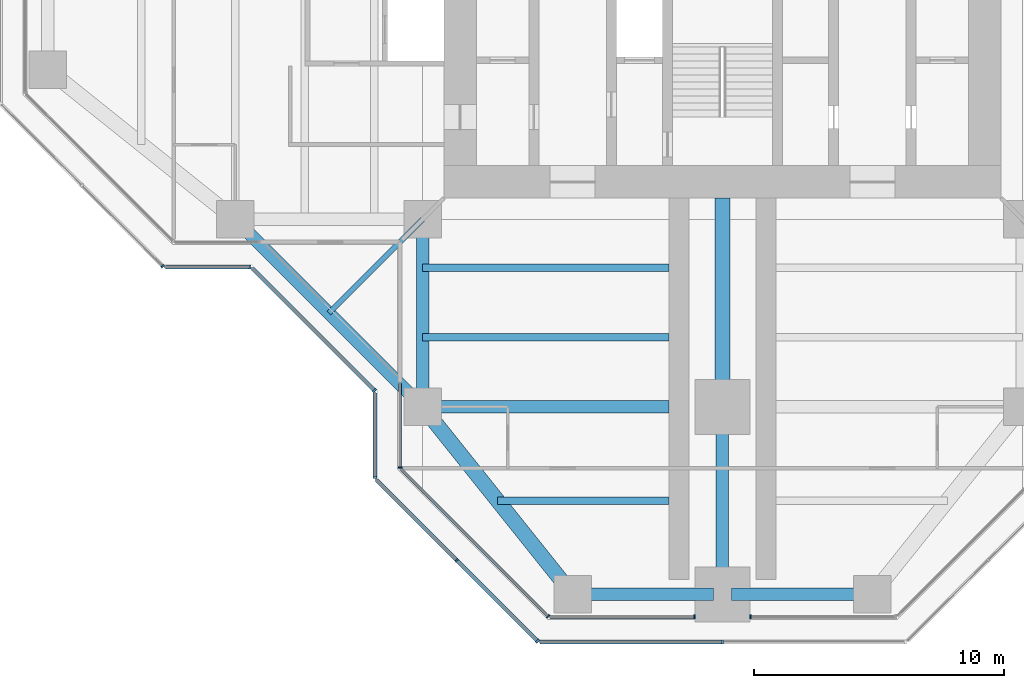
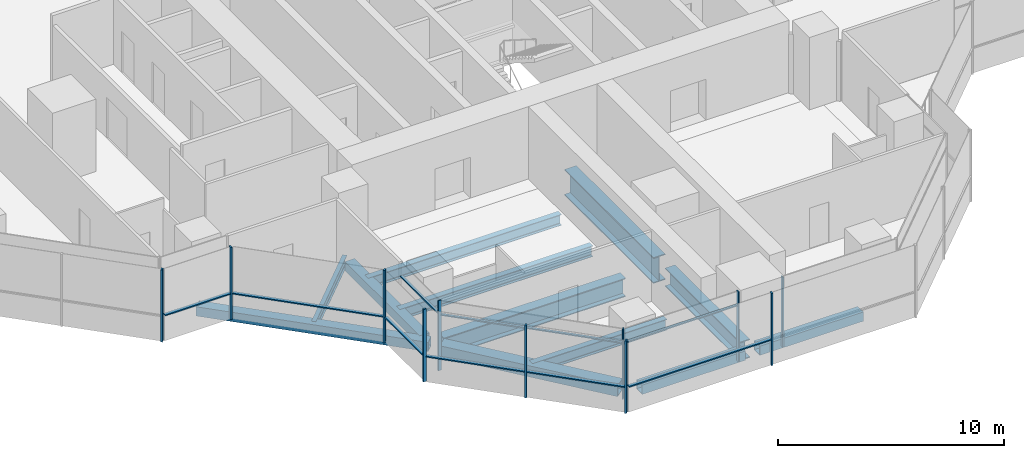
# One storey, part 2 of 17: 20 members, 12 beams, 10 elements without a shape of their own.
"""IFC4 building model written with IfcOpenShell, lengths in metres."""

from ifc_helpers import new_model, si_unit, direction, frame, origin, origin_2d, place, context, subcontext, project, spatial, rectangle, hollow_rectangle, i_section, extrude, material, material_profile, profile_set, type_object, element, aggregate, save


model = new_model("IFC4")

# Units and contexts
model_context = context("Model", 3, precision=1e-05, world=origin(), true_north=direction((0.0, 1.0)))
body_context = subcontext(model_context, "Body", "Model", "MODEL_VIEW")
ifc_project = project(units=[si_unit("LENGTHUNIT", "METRE"), si_unit("AREAUNIT", "SQUARE_METRE"), si_unit("VOLUMEUNIT", "CUBIC_METRE"), si_unit("PLANEANGLEUNIT", "RADIAN"), si_unit("MASSUNIT", "GRAM", prefix="KILO")], contexts=[model_context])

# Site, building, storey
site_placement = place(None, origin())
site = spatial("IfcSite", under=ifc_project, at=site_placement, CompositionType="ELEMENT")
building_placement = place(site_placement, origin())
building = spatial("IfcBuilding", under=site, at=building_placement, Name="Mizan Broadcast Tower", CompositionType="ELEMENT")
storey_placement = place(building_placement, frame((0.0, 0.0, 243.89990234375)))
storey = spatial("IfcBuildingStorey", under=building, at=storey_placement, Name="L57", CompositionType="ELEMENT", Elevation=243.89990234375)

# Beams
ifc_material_1 = material(Name="Steel S355", Category="steel")
ifc_material_profile_1 = material_profile(ifc_material_1, hollow_rectangle(XDim=0.5, YDim=0.5, WallThickness=0.030029296875, at=origin_2d()), Name="BOX 500x500x30")
ifc_profile_set_1 = profile_set([ifc_material_profile_1], Name="Steel S355")
beam_type_1 = type_object("IfcBeamType", Name="EDGE BEAM BOX 500x500x30", PredefinedType="SPANDREL", material=ifc_profile_set_1)
beam_1_placement = place(storey_placement, frame((-12.0, -12.449951171875, -0.3798828125), z_axis=(0.0, -1.0, 0.0), x_axis=(1.0, 0.0, 0.0)))
element("IfcBeam", 1, at=beam_1_placement, inside=storey, type_object=beam_type_1, Name="Edge beam BOX 500x500x30 L57 south arm", PredefinedType="SPANDREL", context=body_context, shape_type="SweptSolid", body=[
    extrude(hollow_rectangle(XDim=0.5, YDim=0.5, WallThickness=0.030029296875, at=origin_2d()), origin(), (0.0, 0.0, 1.0), 6.60009765625),
])
for number, where, z_axis, x_axis, name in (
    (2, (-5.639892578125, -27.0, -0.3798828125), (1.0, 0.0, 0.0), (0.0, 1.0, 0.0), "Edge beam BOX 500x500x30 L57 south arm"),
    (3, (5.639892578125, -27.0, -0.3798828125), (-1.0, 0.0, 0.0), (0.0, -1.0, 0.0), "Edge beam BOX 500x500x30 L57 south arm"),
):
    element("IfcBeam", number, at=place(storey_placement, frame(where, z_axis=z_axis, x_axis=x_axis)), inside=storey, type_object=beam_type_1, Name=name, PredefinedType="SPANDREL", context=body_context, shape_type="SweptSolid", body=[
        extrude(hollow_rectangle(XDim=0.5, YDim=0.5, WallThickness=0.030029296875, at=origin_2d()), origin(), (0.0, 0.0, 1.0), 5.27978515625),
    ])
beam_2_placement = place(storey_placement, frame((-19.5, -12.0, -0.3798828125), z_axis=(0.707106781187, -0.707106781187, 0.0), x_axis=(0.707106781187, 0.707106781187, 0.0)))
element("IfcBeam", 4, at=beam_2_placement, inside=storey, type_object=beam_type_1, Name="Winter garden edge beam L57 W", PredefinedType="SPANDREL", context=body_context, shape_type="SweptSolid", body=[
    extrude(hollow_rectangle(XDim=0.5, YDim=0.5, WallThickness=0.030029296875, at=origin_2d()), origin(), (0.0, 0.0, 1.0), 10.606689453125),
])
ifc_material_2 = material(Name="Steel S355", Category="steel")
ifc_material_profile_2 = material_profile(ifc_material_2, hollow_rectangle(XDim=0.60009765625, YDim=0.60009765625, WallThickness=0.030029296875, at=origin_2d()), Name="BOX 600x600x30")
ifc_profile_set_2 = profile_set([ifc_material_profile_2], Name="Steel S355")
beam_type_2 = type_object("IfcBeamType", Name="EDGE BEAM BOX 600x600x30", PredefinedType="SPANDREL", material=ifc_profile_set_2)
beam_3_placement = place(storey_placement, frame((-11.639892578125, -19.949951171875, -0.429931640625), z_axis=(0.624673911726, -0.780885717636, 0.0), x_axis=(0.780885717636, 0.624673911726, 0.0)))
element("IfcBeam", 5, at=beam_3_placement, inside=storey, type_object=beam_type_2, Name="Edge beam BOX 600x600x30 L57 south arm", PredefinedType="SPANDREL", context=body_context, shape_type="SweptSolid", body=[
    extrude(hollow_rectangle(XDim=0.60009765625, YDim=0.60009765625, WallThickness=0.030029296875, at=origin_2d()), origin(), (0.0, 0.0, 1.0), 8.4521484375),
])
ifc_material_3 = material(Name="Steel S460", Category="steel")
ifc_material_profile_3 = material_profile(ifc_material_3, i_section(OverallWidth=0.5, OverallDepth=1.0, WebThickness=0.02490234375, FlangeThickness=0.050048828125, at=origin_2d()), Name="WPG 1000x500")
ifc_profile_set_3 = profile_set([ifc_material_profile_3], Name="Steel S460")
beam_type_3 = type_object("IfcBeamType", Name="GIRDER WPG 1000x500", PredefinedType="BEAM", material=ifc_profile_set_3)
beam_4_placement = place(storey_placement, frame((0.0, -19.949951171875, -0.6298828125), z_axis=(0.0, -1.0, 0.0), x_axis=(1.0, 0.0, 0.0)))
element("IfcBeam", 6, at=beam_4_placement, inside=storey, type_object=beam_type_3, Name="Girder WPG 1000x500 L57 south arm", PredefinedType="BEAM", context=body_context, shape_type="SweptSolid", body=[
    extrude(i_section(OverallWidth=0.5, OverallDepth=1.0, WebThickness=0.02490234375, FlangeThickness=0.050048828125, at=origin_2d()), origin(), (0.0, 0.0, 1.0), 6.60009765625),
])
beam_5_placement = place(storey_placement, frame((-11.408935546875, -19.5, -0.6298828125), z_axis=(1.0, 0.0, 0.0), x_axis=(0.0, 1.0, 0.0)))
element("IfcBeam", 7, at=beam_5_placement, inside=storey, type_object=beam_type_3, Name="Girder WPG 1000x500 L57 south arm", PredefinedType="BEAM", context=body_context, shape_type="SweptSolid", body=[
    extrude(i_section(OverallWidth=0.5, OverallDepth=1.0, WebThickness=0.02490234375, FlangeThickness=0.050048828125, at=origin_2d()), origin(), (0.0, 0.0, 1.0), 9.259033203125),
])
ifc_material_4 = material(Name="Steel S460", Category="steel")
ifc_material_profile_4 = material_profile(ifc_material_4, i_section(OverallWidth=0.60009765625, OverallDepth=1.39990234375, WebThickness=0.02490234375, FlangeThickness=0.06005859375, at=origin_2d()), Name="WPG 1400x600")
ifc_profile_set_4 = profile_set([ifc_material_profile_4], Name="Steel S460")
beam_type_4 = type_object("IfcBeamType", Name="GIRDER WPG 1400x600", PredefinedType="BEAM", material=ifc_profile_set_4)
beam_6_placement = place(storey_placement, frame((0.0, -11.14990234375, -0.829833984375), z_axis=(0.0, -1.0, 0.0), x_axis=(1.0, 0.0, 0.0)))
element("IfcBeam", 8, at=beam_6_placement, inside=storey, type_object=beam_type_4, Name="Girder WPG 1400x600 L57 south arm", PredefinedType="BEAM", context=body_context, shape_type="SweptSolid", body=[
    extrude(i_section(OverallWidth=0.60009765625, OverallDepth=1.39990234375, WebThickness=0.02490234375, FlangeThickness=0.06005859375, at=origin_2d()), origin(), (0.0, 0.0, 1.0), 7.84912109375),
])

# Curtain wall, member
ifc_material_5 = material(Name="Aluminium framed glazing", Category="aluminium")
curtain_wall_type_1 = type_object("IfcCurtainWallType", Name="INNER SKIN HIGH ZONE", PredefinedType="USERDEFINED", material=ifc_material_5)
curtain_wall_1_placement = place(storey_placement, origin())
curtain_wall_1 = element("IfcCurtainWall", 9, at=curtain_wall_1_placement, inside=storey, type_object=curtain_wall_type_1, Name="Inner skin high zone L57 S side", ObjectType="INNER SKIN HIGH ZONE", PredefinedType="USERDEFINED")
ifc_material_6 = material(Name="Aluminium, pale anodised", Category="aluminium")
ifc_material_profile_5 = material_profile(ifc_material_6, rectangle(XDim=0.159912109375, YDim=0.06005859375, at=origin_2d()), Name="MULLION 160x60")
ifc_profile_set_5 = profile_set([ifc_material_profile_5], Name="Aluminium, pale anodised")
member_type_1 = type_object("IfcMemberType", Name="INNER SKIN MULLION 60x160", PredefinedType="MULLION", material=ifc_profile_set_5)
member_1_placement = place(storey_placement, frame((-12.89990234375, -21.928466796875, 0.0), z_axis=(0.0, 0.0, 1.0), x_axis=(1.0, 0.0, 0.0)))
member_1 = element("IfcMember", 10, at=member_1_placement, type_object=member_type_1, Name="Inner skin high zone L57 S side mullion 2", PredefinedType="MULLION", context=body_context, shape_type="SweptSolid", body=[
    extrude(rectangle(XDim=0.159912109375, YDim=0.06005859375, at=origin_2d()), origin(), (0.0, 0.0, 1.0), 3.77001953125),
])

curtain_wall_2_placement = place(storey_placement, origin())
curtain_wall_2 = element("IfcCurtainWall", 11, at=curtain_wall_2_placement, inside=storey, type_object=curtain_wall_type_1, Name="Inner skin high zone L57 S chamfer", ObjectType="INNER SKIN HIGH ZONE", PredefinedType="USERDEFINED")
member_2_placement = place(storey_placement, frame((-6.979736328125, -27.87890625, 0.0), z_axis=(0.0, 0.0, 1.0), x_axis=(0.707106781187, 0.707106781187, 0.0)))
member_2 = element("IfcMember", 12, at=member_2_placement, type_object=member_type_1, Name="Inner skin high zone L57 S chamfer mullion 2", PredefinedType="MULLION", context=body_context, shape_type="SweptSolid", body=[
    extrude(rectangle(XDim=0.159912109375, YDim=0.06005859375, at=origin_2d()), origin(), (0.0, 0.0, 1.0), 3.77001953125),
])

curtain_wall_3_placement = place(storey_placement, origin())
curtain_wall_3 = element("IfcCurtainWall", 13, at=curtain_wall_3_placement, inside=storey, type_object=curtain_wall_type_1, Name="Inner skin high zone L57 S end", ObjectType="INNER SKIN HIGH ZONE", PredefinedType="USERDEFINED")
member_3_placement = place(storey_placement, frame((-1.1298828125, -27.89990234375, 0.0), z_axis=(0.0, 0.0, 1.0), x_axis=(0.0, 1.0, 0.0)))
member_3 = element("IfcMember", 14, at=member_3_placement, type_object=member_type_1, Name="Inner skin high zone L57 S end mullion 2", PredefinedType="MULLION", context=body_context, shape_type="SweptSolid", body=[
    extrude(rectangle(XDim=0.159912109375, YDim=0.06005859375, at=origin_2d()), origin(), (0.0, 0.0, 1.0), 3.77001953125),
])

curtain_wall_4_placement = place(storey_placement, origin())
curtain_wall_4 = element("IfcCurtainWall", 15, at=curtain_wall_4_placement, inside=storey, type_object=curtain_wall_type_1, Name="Inner skin high zone L57 S end", ObjectType="INNER SKIN HIGH ZONE", PredefinedType="USERDEFINED")
member_4_placement = place(storey_placement, frame((1.1298828125, -27.89990234375, 0.0), z_axis=(0.0, 0.0, 1.0), x_axis=(0.0, 1.0, 0.0)))
member_4 = element("IfcMember", 16, at=member_4_placement, type_object=member_type_1, Name="Inner skin high zone L57 S end mullion 1", PredefinedType="MULLION", context=body_context, shape_type="SweptSolid", body=[
    extrude(rectangle(XDim=0.159912109375, YDim=0.06005859375, at=origin_2d()), origin(), (0.0, 0.0, 1.0), 3.77001953125),
])
aggregate(curtain_wall_4, [member_4])

# Member
ifc_material_7 = material(Name="Aluminium, pale anodised", Category="aluminium")
ifc_material_profile_6 = material_profile(ifc_material_7, rectangle(XDim=0.1201171875, YDim=0.06005859375, at=origin_2d()), Name="TRANSOM 120x60")
ifc_profile_set_6 = profile_set([ifc_material_profile_6], Name="Aluminium, pale anodised")
member_type_2 = type_object("IfcMemberType", Name="INNER SKIN TRANSOM 60x120", PredefinedType="USERDEFINED", material=ifc_profile_set_6)
member_5_placement = place(storey_placement, frame((-12.89990234375, -18.56005859375, 3.030029296875), z_axis=(0.0, -1.0, 0.0), x_axis=(1.0, 0.0, 0.0)))
member_5 = element("IfcMember", 17, at=member_5_placement, type_object=member_type_2, Name="Inner skin high zone L57 S side transom 1.1", ObjectType="TRANSOM", PredefinedType="USERDEFINED", context=body_context, shape_type="SweptSolid", body=[
    extrude(rectangle(XDim=0.1201171875, YDim=0.06005859375, at=origin_2d()), origin(), (0.0, 0.0, 1.0), 3.338623046875),
])

aggregate(curtain_wall_1, [member_1, member_5])

member_6_placement = place(storey_placement, frame((-12.857666015625, -22.0009765625, 3.030029296875), z_axis=(0.707106781187, -0.707106781187, 0.0), x_axis=(0.707106781187, 0.707106781187, 0.0)))
member_6 = element("IfcMember", 18, at=member_6_placement, type_object=member_type_2, Name="Inner skin high zone L57 S chamfer transom 1.1", ObjectType="TRANSOM", PredefinedType="USERDEFINED", context=body_context, shape_type="SweptSolid", body=[
    extrude(rectangle(XDim=0.1201171875, YDim=0.06005859375, at=origin_2d()), origin(), (0.0, 0.0, 1.0), 8.28271484375),
])

aggregate(curtain_wall_2, [member_2, member_6])

member_7_placement = place(storey_placement, frame((-6.898681640625, -27.89990234375, 3.030029296875), z_axis=(1.0, 0.0, 0.0), x_axis=(0.0, 1.0, 0.0)))
member_7 = element("IfcMember", 19, at=member_7_placement, type_object=member_type_2, Name="Inner skin high zone L57 S end transom 1.1", ObjectType="TRANSOM", PredefinedType="USERDEFINED", context=body_context, shape_type="SweptSolid", body=[
    extrude(rectangle(XDim=0.1201171875, YDim=0.06005859375, at=origin_2d()), origin(), (0.0, 0.0, 1.0), 5.73876953125),
])

aggregate(curtain_wall_3, [member_3, member_7])

# Curtain wall, member
ifc_material_8 = material(Name="Aluminium framed glazing", Category="aluminium")
curtain_wall_type_2 = type_object("IfcCurtainWallType", Name="OUTER SKIN", PredefinedType="USERDEFINED", material=ifc_material_8)
curtain_wall_5_placement = place(storey_placement, origin())
curtain_wall_5 = element("IfcCurtainWall", 20, at=curtain_wall_5_placement, inside=storey, type_object=curtain_wall_type_2, Name="Outer skin L57 W chamfer", ObjectType="OUTER SKIN", PredefinedType="USERDEFINED")
ifc_material_9 = material(Name="Aluminium, pale anodised", Category="aluminium")
ifc_material_profile_7 = material_profile(ifc_material_9, rectangle(XDim=0.159912109375, YDim=0.080078125, at=origin_2d()), Name="MULLION 160x80")
ifc_profile_set_7 = profile_set([ifc_material_profile_7], Name="Aluminium, pale anodised")
member_type_3 = type_object("IfcMemberType", Name="OUTER SKIN MULLION 80x160", PredefinedType="MULLION", material=ifc_profile_set_7)
member_8_placement = place(storey_placement, frame((-22.401123046875, -13.871826171875, 0.0), z_axis=(0.0, 0.0, 1.0), x_axis=(0.707106781187, 0.707106781187, 0.0)))
member_8 = element("IfcMember", 21, at=member_8_placement, type_object=member_type_3, Name="Outer skin L57 W chamfer mullion 3", PredefinedType="MULLION", context=body_context, shape_type="SweptSolid", body=[
    extrude(rectangle(XDim=0.159912109375, YDim=0.080078125, at=origin_2d()), origin(), (0.0, 0.0, 1.0), 3.900146484375),
])
aggregate(curtain_wall_5, [member_8])

curtain_wall_6_placement = place(storey_placement, origin())
curtain_wall_6 = element("IfcCurtainWall", 22, at=curtain_wall_6_placement, inside=storey, type_object=curtain_wall_type_2, Name="Outer skin L57 W side", ObjectType="OUTER SKIN", PredefinedType="USERDEFINED")
member_9_placement = place(storey_placement, frame((-18.912841796875, -13.89990234375, 0.0), z_axis=(0.0, 0.0, 1.0), x_axis=(0.0, 1.0, 0.0)))
member_9 = element("IfcMember", 23, at=member_9_placement, type_object=member_type_3, Name="Outer skin L57 W side mullion 2", PredefinedType="MULLION", context=body_context, shape_type="SweptSolid", body=[
    extrude(rectangle(XDim=0.159912109375, YDim=0.080078125, at=origin_2d()), origin(), (0.0, 0.0, 1.0), 3.900146484375),
])

curtain_wall_7_placement = place(storey_placement, origin())
curtain_wall_7 = element("IfcCurtainWall", 24, at=curtain_wall_7_placement, inside=storey, type_object=curtain_wall_type_2, Name="Outer skin L57 W chamfer", ObjectType="OUTER SKIN", PredefinedType="USERDEFINED")
member_10_placement = place(storey_placement, frame((-13.92822265625, -18.844482421875, 0.0), z_axis=(0.0, 0.0, 1.0), x_axis=(0.707106781187, 0.707106781187, 0.0)))
member_10 = element("IfcMember", 25, at=member_10_placement, type_object=member_type_3, Name="Outer skin L57 W chamfer mullion 2", PredefinedType="MULLION", context=body_context, shape_type="SweptSolid", body=[
    extrude(rectangle(XDim=0.159912109375, YDim=0.080078125, at=origin_2d()), origin(), (0.0, 0.0, 1.0), 3.900146484375),
])

curtain_wall_8_placement = place(storey_placement, origin())
curtain_wall_8 = element("IfcCurtainWall", 26, at=curtain_wall_8_placement, inside=storey, type_object=curtain_wall_type_2, Name="Outer skin L57 S side", ObjectType="OUTER SKIN", PredefinedType="USERDEFINED")
member_11_placement = place(storey_placement, frame((-13.89990234375, -22.332763671875, 0.0), z_axis=(0.0, 0.0, 1.0), x_axis=(1.0, 0.0, 0.0)))
member_11 = element("IfcMember", 27, at=member_11_placement, type_object=member_type_3, Name="Outer skin L57 S side mullion 2", PredefinedType="MULLION", context=body_context, shape_type="SweptSolid", body=[
    extrude(rectangle(XDim=0.159912109375, YDim=0.080078125, at=origin_2d()), origin(), (0.0, 0.0, 1.0), 3.900146484375),
])

# Curtain wall, members
curtain_wall_9_placement = place(storey_placement, origin())
curtain_wall_9 = element("IfcCurtainWall", 28, at=curtain_wall_9_placement, inside=storey, type_object=curtain_wall_type_2, Name="Outer skin L57 S chamfer", ObjectType="OUTER SKIN", PredefinedType="USERDEFINED")
member_12_placement = place(storey_placement, frame((-10.636474609375, -25.636474609375, 0.0), z_axis=(0.0, 0.0, 1.0), x_axis=(0.707106781187, 0.707106781187, 0.0)))
member_12 = element("IfcMember", 29, at=member_12_placement, type_object=member_type_3, Name="Outer skin L57 S chamfer mullion 2", PredefinedType="MULLION", context=body_context, shape_type="SweptSolid", body=[
    extrude(rectangle(XDim=0.159912109375, YDim=0.080078125, at=origin_2d()), origin(), (0.0, 0.0, 1.0), 3.900146484375),
])
member_13_placement = place(storey_placement, frame((-7.401123046875, -28.871826171875, 0.0), z_axis=(0.0, 0.0, 1.0), x_axis=(0.707106781187, 0.707106781187, 0.0)))
member_13 = element("IfcMember", 30, at=member_13_placement, type_object=member_type_3, Name="Outer skin L57 S chamfer mullion 3", PredefinedType="MULLION", context=body_context, shape_type="SweptSolid", body=[
    extrude(rectangle(XDim=0.159912109375, YDim=0.080078125, at=origin_2d()), origin(), (0.0, 0.0, 1.0), 3.900146484375),
])

# Curtain wall, member
curtain_wall_10_placement = place(storey_placement, origin())
curtain_wall_10 = element("IfcCurtainWall", 31, at=curtain_wall_10_placement, inside=storey, type_object=curtain_wall_type_2, Name="Outer skin L57 S end", ObjectType="OUTER SKIN", PredefinedType="USERDEFINED")
member_14_placement = place(storey_placement, frame((0.0, -28.89990234375, 0.0), z_axis=(0.0, 0.0, 1.0), x_axis=(0.0, 1.0, 0.0)))
member_14 = element("IfcMember", 32, at=member_14_placement, type_object=member_type_3, Name="Outer skin L57 S end mullion 2", PredefinedType="MULLION", context=body_context, shape_type="SweptSolid", body=[
    extrude(rectangle(XDim=0.159912109375, YDim=0.080078125, at=origin_2d()), origin(), (0.0, 0.0, 1.0), 3.900146484375),
])

# Member
ifc_material_10 = material(Name="Aluminium, pale anodised", Category="aluminium")
ifc_material_profile_8 = material_profile(ifc_material_10, rectangle(XDim=0.159912109375, YDim=0.06005859375, at=origin_2d()), Name="TRANSOM 160x60")
ifc_profile_set_8 = profile_set([ifc_material_profile_8], Name="Aluminium, pale anodised")
member_type_4 = type_object("IfcMemberType", Name="OUTER SKIN TRANSOM 60x160", PredefinedType="USERDEFINED", material=ifc_profile_set_8)
member_15_placement = place(storey_placement, frame((-22.292724609375, -13.89990234375, 1.400146484375), z_axis=(1.0, 0.0, 0.0), x_axis=(0.0, 1.0, 0.0)))
member_15 = element("IfcMember", 33, at=member_15_placement, type_object=member_type_4, Name="Outer skin L57 W side transom 1.1", ObjectType="TRANSOM", PredefinedType="USERDEFINED", context=body_context, shape_type="SweptSolid", body=[
    extrude(rectangle(XDim=0.159912109375, YDim=0.06005859375, at=origin_2d()), origin(), (0.0, 0.0, 1.0), 3.33984375),
])

aggregate(curtain_wall_6, [member_9, member_15])

member_16_placement = place(storey_placement, frame((-18.816162109375, -13.95654296875, 1.400146484375), z_axis=(0.707106781187, -0.707106781187, 0.0), x_axis=(0.707106781187, 0.707106781187, 0.0)))
member_16 = element("IfcMember", 34, at=member_16_placement, type_object=member_type_4, Name="Outer skin L57 W chamfer transom 1.1", ObjectType="TRANSOM", PredefinedType="USERDEFINED", context=body_context, shape_type="SweptSolid", body=[
    extrude(rectangle(XDim=0.159912109375, YDim=0.06005859375, at=origin_2d()), origin(), (0.0, 0.0, 1.0), 6.87255859375),
])

aggregate(curtain_wall_7, [member_10, member_16])

member_17_placement = place(storey_placement, frame((-13.89990234375, -18.952880859375, 1.400146484375), z_axis=(0.0, -1.0, 0.0), x_axis=(1.0, 0.0, 0.0)))
member_17 = element("IfcMember", 35, at=member_17_placement, type_object=member_type_4, Name="Outer skin L57 S side transom 1.1", ObjectType="TRANSOM", PredefinedType="USERDEFINED", context=body_context, shape_type="SweptSolid", body=[
    extrude(rectangle(XDim=0.159912109375, YDim=0.06005859375, at=origin_2d()), origin(), (0.0, 0.0, 1.0), 3.33984375),
])

aggregate(curtain_wall_8, [member_11, member_17])

member_18_placement = place(storey_placement, frame((-13.843505859375, -22.429443359375, 1.400146484375), z_axis=(0.707106781187, -0.707106781187, 0.0), x_axis=(0.707106781187, 0.707106781187, 0.0)))
member_18 = element("IfcMember", 36, at=member_18_placement, type_object=member_type_4, Name="Outer skin L57 S chamfer transom 1.1", ObjectType="TRANSOM", PredefinedType="USERDEFINED", context=body_context, shape_type="SweptSolid", body=[
    extrude(rectangle(XDim=0.159912109375, YDim=0.06005859375, at=origin_2d()), origin(), (0.0, 0.0, 1.0), 4.495361328125),
])

member_19_placement = place(storey_placement, frame((-10.608154296875, -25.664794921875, 1.400146484375), z_axis=(0.707106781187, -0.707106781187, 0.0), x_axis=(0.707106781187, 0.707106781187, 0.0)))
member_19 = element("IfcMember", 37, at=member_19_placement, type_object=member_type_4, Name="Outer skin L57 S chamfer transom 2.1", ObjectType="TRANSOM", PredefinedType="USERDEFINED", context=body_context, shape_type="SweptSolid", body=[
    extrude(rectangle(XDim=0.159912109375, YDim=0.06005859375, at=origin_2d()), origin(), (0.0, 0.0, 1.0), 4.495361328125),
])

aggregate(curtain_wall_9, [member_12, member_13, member_18, member_19])

member_20_placement = place(storey_placement, frame((-7.292724609375, -28.89990234375, 1.400146484375), z_axis=(1.0, 0.0, 0.0), x_axis=(0.0, 1.0, 0.0)))
member_20 = element("IfcMember", 38, at=member_20_placement, type_object=member_type_4, Name="Outer skin L57 S end transom 1.1", ObjectType="TRANSOM", PredefinedType="USERDEFINED", context=body_context, shape_type="SweptSolid", body=[
    extrude(rectangle(XDim=0.159912109375, YDim=0.06005859375, at=origin_2d()), origin(), (0.0, 0.0, 1.0), 7.252685546875),
])

aggregate(curtain_wall_10, [member_14, member_20])

# Beams
ifc_material_11 = material(Name="Steel S355", Category="steel")
ifc_material_profile_9 = material_profile(ifc_material_11, i_section(OverallWidth=0.300048828125, OverallDepth=0.590087890625, WebThickness=0.012939453125, FlangeThickness=0.02490234375, FilletRadius=0.027099609375, at=origin_2d()), Name="HEA 600")
ifc_profile_set_9 = profile_set([ifc_material_profile_9], Name="Steel S355")
beam_type_5 = type_object("IfcBeamType", Name="SECONDARY BEAM HEA 600", PredefinedType="JOIST", material=ifc_profile_set_9)
for number, where, z_axis, x_axis, name in (
    (39, (-12.0, -13.933349609375, -0.4248046875), (1.0, 0.0, 0.0), (0.0, 1.0, 0.0), "Secondary beam HEA 600 L57 south arm"),
    (40, (-12.0, -16.716552734375, -0.4248046875), (1.0, 0.0, 0.0), (0.0, 1.0, 0.0), "Secondary beam HEA 600 L57 south arm"),
):
    element("IfcBeam", number, at=place(storey_placement, frame(where, z_axis=z_axis, x_axis=x_axis)), inside=storey, type_object=beam_type_5, Name=name, PredefinedType="JOIST", context=body_context, shape_type="SweptSolid", body=[
        extrude(i_section(OverallWidth=0.300048828125, OverallDepth=0.590087890625, WebThickness=0.012939453125, FlangeThickness=0.02490234375, FilletRadius=0.027099609375, at=origin_2d()), origin(), (0.0, 0.0, 1.0), 9.85009765625),
    ])
beam_7_placement = place(storey_placement, frame((-9.0, -23.25, -0.4248046875), z_axis=(1.0, 0.0, 0.0), x_axis=(0.0, 1.0, 0.0)))
element("IfcBeam", 41, at=beam_7_placement, inside=storey, type_object=beam_type_5, Name="Secondary beam HEA 600 L57 south arm", PredefinedType="JOIST", context=body_context, shape_type="SweptSolid", body=[
    extrude(i_section(OverallWidth=0.300048828125, OverallDepth=0.590087890625, WebThickness=0.012939453125, FlangeThickness=0.02490234375, FilletRadius=0.027099609375, at=origin_2d()), origin(), (0.0, 0.0, 1.0), 6.85009765625),
])
ifc_material_12 = material(Name="Steel S355", Category="steel")
ifc_material_profile_10 = material_profile(ifc_material_12, i_section(OverallWidth=0.2099609375, OverallDepth=0.550048828125, WebThickness=0.010986328125, FlangeThickness=0.01708984375, FilletRadius=0.02392578125, at=origin_2d()), Name="IPE 550")
ifc_profile_set_10 = profile_set([ifc_material_profile_10], Name="Steel S355")
beam_type_6 = type_object("IfcBeamType", Name="SECONDARY BEAM IPE 550", PredefinedType="JOIST", material=ifc_profile_set_10)
beam_8_placement = place(storey_placement, frame((-12.0, -12.0, -0.40478515625), z_axis=(-0.707106781187, -0.707106781187, 0.0), x_axis=(0.707106781187, -0.707106781187, 0.0)))
element("IfcBeam", 42, at=beam_8_placement, inside=storey, type_object=beam_type_6, Name="Winter garden beam L57 W", PredefinedType="JOIST", context=body_context, shape_type="SweptSolid", body=[
    extrude(i_section(OverallWidth=0.2099609375, OverallDepth=0.550048828125, WebThickness=0.010986328125, FlangeThickness=0.01708984375, FilletRadius=0.02392578125, at=origin_2d()), origin(), (0.0, 0.0, 1.0), 5.30322265625),
])

save(model, "model.ifc")
